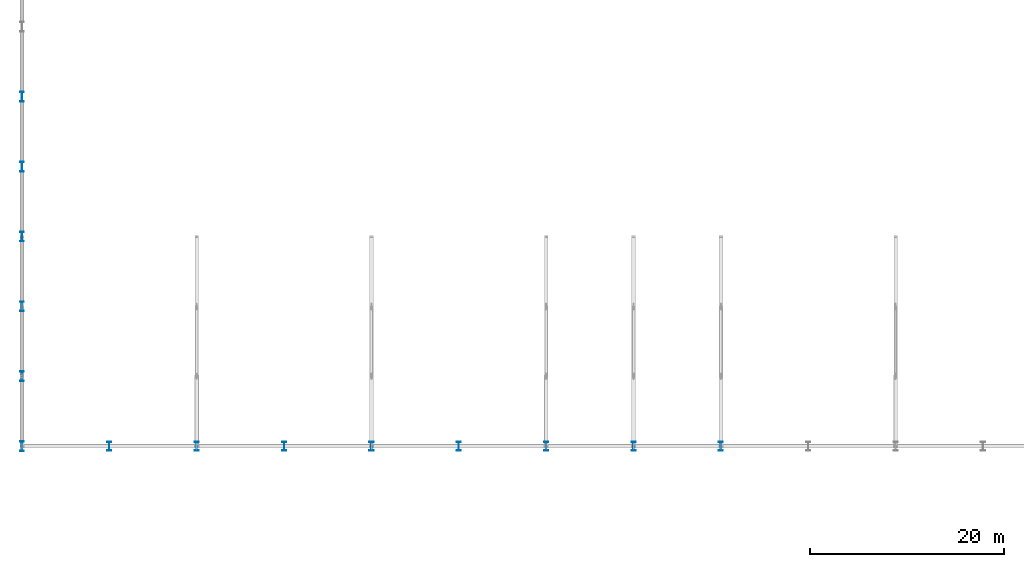
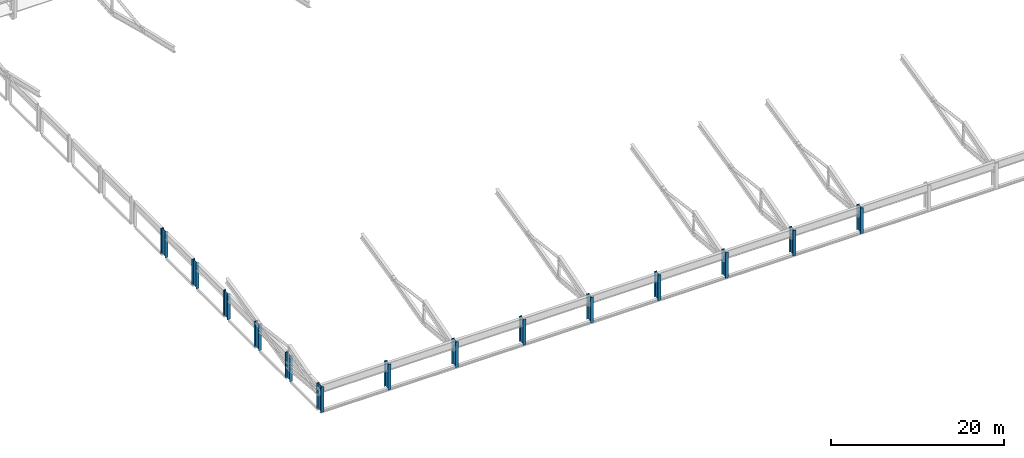
# One storey, part 1 of 151: 14 columns.
"""IFC4 building model written with IfcOpenShell, lengths in metres."""

from ifc_helpers import new_model, si_unit, direction, frame, origin, origin_2d, place, context, subcontext, project, spatial, i_section, extrude, material, material_profile, profile_set, type_object, element, save


model = new_model("IFC4")

# Units and contexts
model_context = context("Model", 3, precision=1e-05, world=origin(), true_north=direction((0.0, 1.0)))
body_context = subcontext(model_context, "Body", "Model", "MODEL_VIEW")
ifc_project = project(units=[si_unit("LENGTHUNIT", "METRE"), si_unit("AREAUNIT", "SQUARE_METRE"), si_unit("VOLUMEUNIT", "CUBIC_METRE"), si_unit("PLANEANGLEUNIT", "RADIAN"), si_unit("MASSUNIT", "GRAM", prefix="KILO")], contexts=[model_context])

# Site, building, storey
site_placement = place(None, origin())
site = spatial("IfcSite", under=ifc_project, at=site_placement, CompositionType="ELEMENT")
building_placement = place(site_placement, origin())
building = spatial("IfcBuilding", under=site, at=building_placement, Name="Celestram Park Convention Centre", CompositionType="ELEMENT")
storey_placement = place(building_placement, frame((0.0, 0.0, 10.800048828125)))
storey = spatial("IfcBuildingStorey", under=building, at=storey_placement, Name="L02", CompositionType="ELEMENT", Elevation=10.800048828125)

# Columns
ifc_material = material(Name="Steel ASTM A992 Grade 50", Category="steel")
ifc_material_profile_1 = material_profile(ifc_material, i_section(OverallWidth=0.4189453125, OverallDepth=0.927001953125, WebThickness=0.019287109375, FlangeThickness=0.031982421875, at=origin_2d()), Name="W36X231")
ifc_profile_set_1 = profile_set([ifc_material_profile_1], Name="Steel ASTM A992 Grade 50")
column_type_1 = type_object("IfcColumnType", Name="STR-COL-W36X231", PredefinedType="COLUMN", material=ifc_profile_set_1)
for number, where, z_axis, x_axis, name in (
    (1, (9.0, 21.60009765625, 0.0), (0.0, 0.0, 1.0), (1.0, 0.0, 0.0), "Column CN-L02-014"),
    (2, (18.0, 21.60009765625, 0.0), (0.0, 0.0, 1.0), (1.0, 0.0, 0.0), "Column CN-L02-016"),
    (3, (27.0, 21.60009765625, 0.0), (0.0, 0.0, 1.0), (1.0, 0.0, 0.0), "Column CN-L02-018"),
    (4, (36.0, 21.60009765625, 0.0), (0.0, 0.0, 1.0), (1.0, 0.0, 0.0), "Column CN-L02-020"),
    (5, (45.0, 21.60009765625, 0.0), (0.0, 0.0, 1.0), (1.0, 0.0, 0.0), "Column CN-L02-030"),
    (6, (54.0, 21.60009765625, 0.0), (0.0, 0.0, 1.0), (1.0, 0.0, 0.0), "Column CN-L02-040"),
    (7, (63.0, 21.60009765625, 0.0), (0.0, 0.0, 1.0), (1.0, 0.0, 0.0), "Column CN-L02-049"),
    (8, (72.0, 21.60009765625, 0.0), (0.0, 0.0, 1.0), (1.0, 0.0, 0.0), "Column CN-L02-058"),
):
    element("IfcColumn", number, at=place(storey_placement, frame(where, z_axis=z_axis, x_axis=x_axis)), inside=storey, type_object=column_type_1, Name=name, PredefinedType="COLUMN", context=body_context, shape_type="SweptSolid", body=[
        extrude(i_section(OverallWidth=0.4189453125, OverallDepth=0.927001953125, WebThickness=0.019287109375, FlangeThickness=0.031982421875, at=origin_2d()), origin(), (0.0, 0.0, 1.0), 3.599853515625),
    ])
ifc_material_profile_2 = material_profile(ifc_material, i_section(OverallWidth=0.40087890625, OverallDepth=1.010986328125, WebThickness=0.023681640625, FlangeThickness=0.0419921875, at=origin_2d()), Name="W40X297")
ifc_profile_set_2 = profile_set([ifc_material_profile_2], Name="Steel ASTM A992 Grade 50")
column_type_2 = type_object("IfcColumnType", Name="STR-COL-W40X297", PredefinedType="COLUMN", material=ifc_profile_set_2)
for number, where, z_axis, x_axis, name in (
    (9, (0.0, 21.60009765625, 0.0), (0.0, 0.0, 1.0), (1.0, 0.0, 0.0), "Column CN-L02-001"),
    (10, (0.0, 28.800048828125, 0.0), (0.0, 0.0, 1.0), (1.0, 0.0, 0.0), "Column CN-L02-002"),
    (11, (0.0, 36.0, 0.0), (0.0, 0.0, 1.0), (1.0, 0.0, 0.0), "Column CN-L02-003"),
    (12, (0.0, 43.199951171875, 0.0), (0.0, 0.0, 1.0), (1.0, 0.0, 0.0), "Column CN-L02-004"),
    (13, (0.0, 50.39990234375, 0.0), (0.0, 0.0, 1.0), (1.0, 0.0, 0.0), "Column CN-L02-005"),
    (14, (0.0, 57.60009765625, 0.0), (0.0, 0.0, 1.0), (1.0, 0.0, 0.0), "Column CN-L02-006"),
):
    element("IfcColumn", number, at=place(storey_placement, frame(where, z_axis=z_axis, x_axis=x_axis)), inside=storey, type_object=column_type_2, Name=name, PredefinedType="COLUMN", context=body_context, shape_type="SweptSolid", body=[
        extrude(i_section(OverallWidth=0.40087890625, OverallDepth=1.010986328125, WebThickness=0.023681640625, FlangeThickness=0.0419921875, at=origin_2d()), origin(), (0.0, 0.0, 1.0), 3.599853515625),
    ])

save(model, "model.ifc")
